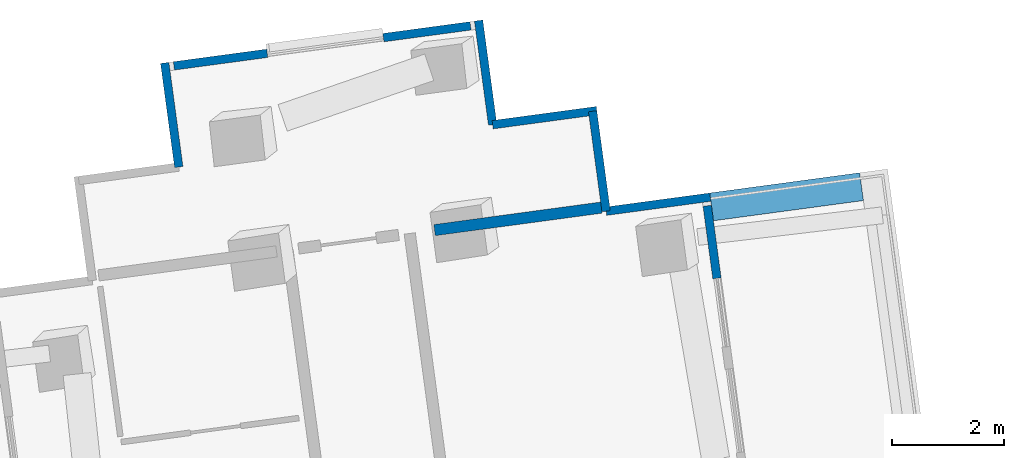
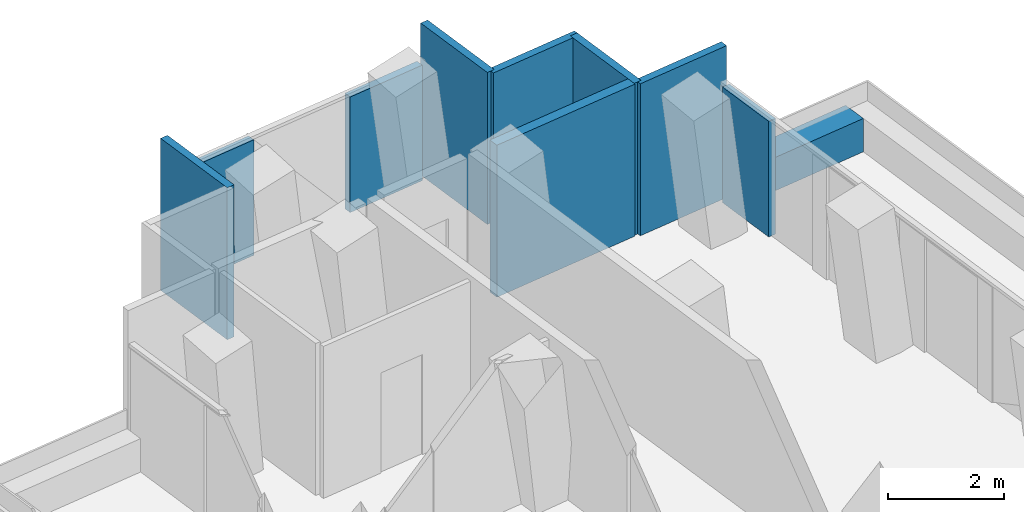
# One storey, part 24 of 27: 10 walls.
"""IFC4 building model written with IfcOpenShell, lengths in metres."""

from ifc_helpers import new_model, si_unit, direction, frame, frame_2d, origin, place, context, subcontext, project, spatial, rectangle, extrude, material, layer, layer_set, type_object, element, save


model = new_model("IFC4")

# Units and contexts
model_context = context("Model", 3, precision=1e-05, world=origin(), true_north=direction((0.0, 1.0)))
body_context = subcontext(model_context, "Body", "Model", "MODEL_VIEW")
ifc_project = project(units=[si_unit("LENGTHUNIT", "METRE"), si_unit("AREAUNIT", "SQUARE_METRE"), si_unit("VOLUMEUNIT", "CUBIC_METRE"), si_unit("PLANEANGLEUNIT", "RADIAN"), si_unit("MASSUNIT", "GRAM", prefix="KILO")], contexts=[model_context])

# Site, building, storey
site_placement = place(None, origin())
site = spatial("IfcSite", under=ifc_project, at=site_placement, CompositionType="ELEMENT")
building_placement = place(site_placement, origin())
building = spatial("IfcBuilding", under=site, at=building_placement, Name="Verdalira Terraces Hotel", CompositionType="ELEMENT")
storey_placement = place(building_placement, frame((0.0, 0.0, 64.5)))
storey = spatial("IfcBuildingStorey", under=building, at=storey_placement, Name="L14", CompositionType="ELEMENT", Elevation=64.5)

# Walls
ifc_material_1 = material(Name="Concrete C40", Category="concrete")
ifc_layer_1 = layer(ifc_material_1, 0.5)
ifc_layer_set_1 = layer_set([ifc_layer_1], Name="Balcony planter trough with tree")
wall_type_1 = type_object("IfcWallType", Name="Balcony planter trough with tree", PredefinedType="SOLIDWALL", material=ifc_layer_set_1)
wall_1_placement = place(storey_placement, frame((3.821289, 40.503418, 0.0), z_axis=(0.0, 0.0, 1.0), x_axis=(-0.991021285, -0.133704195, 0.0)))
element("IfcWall", 1, at=wall_1_placement, inside=storey, type_object=wall_type_1, Name="Balcony planter", PredefinedType="SOLIDWALL", context=body_context, shape_type="SweptSolid", body=[
    extrude(rectangle(XDim=2.69873, YDim=0.5, at=frame_2d((1.349365, 0.0))), origin(), (0.0, 0.0, 1.0), 0.699951),
])
ifc_material_2 = material(Name="Fire-rated gypsum board wall")
ifc_layer_2 = layer(ifc_material_2, 0.199951171875)
ifc_layer_set_2 = layer_set([ifc_layer_2], Name="Demising wall 200 mm")
wall_type_2 = type_object("IfcWallType", Name="Demising wall 200 mm", PredefinedType="SOLIDWALL", material=ifc_layer_set_2)
wall_2_placement = place(storey_placement, frame((-0.820312, 40.129639, 0.0), z_axis=(0.0, 0.0, 1.0), x_axis=(-0.991026518, -0.133665403, 0.0)))
element("IfcWall", 2, at=wall_2_placement, inside=storey, type_object=wall_type_2, Name="Demising wall", PredefinedType="SOLIDWALL", context=body_context, shape_type="SweptSolid", body=[
    extrude(rectangle(XDim=3.002686, YDim=0.199951, at=frame_2d((1.501465, 0.0))), origin(), (0.0, 0.0, 1.0), 3.189941),
])
ifc_material_3 = material(Name="Terracotta cladding", Category="masonry")
ifc_layer_3 = layer(ifc_material_3, 0.14990234375)
ifc_layer_set_3 = layer_set([ifc_layer_3], Name="Terracotta clad wall 150")
wall_type_3 = type_object("IfcWallType", Name="Terracotta clad wall 150", PredefinedType="SOLIDWALL", material=ifc_layer_set_3)
wall_3_placement = place(storey_placement, frame((1.122314, 40.315918, 0.0), z_axis=(0.0, 0.0, 1.0), x_axis=(-0.991035813, -0.133596471, 0.0)))
element("IfcWall", 3, at=wall_3_placement, inside=storey, type_object=wall_type_3, Name="Terracotta cladding wall", PredefinedType="SOLIDWALL", context=body_context, shape_type="SweptSolid", body=[
    extrude(rectangle(XDim=1.875, YDim=0.149902, at=frame_2d((0.9375, 0.0))), origin(), (0.0, 0.0, 1.0), 3.189941),
])
wall_4_placement = place(storey_placement, frame((-0.73584, 40.06543, 0.0), z_axis=(0.0, 0.0, 1.0), x_axis=(-0.133745079, 0.991015769, 0.0)))
element("IfcWall", 4, at=wall_4_placement, inside=storey, type_object=wall_type_3, Name="Terracotta cladding wall", PredefinedType="SOLIDWALL", context=body_context, shape_type="SweptSolid", body=[
    extrude(rectangle(XDim=1.799805, YDim=0.149902, at=frame_2d((0.899902, 0.0))), origin(), (0.0, 0.0, 1.0), 3.189941),
])
for number, where, z_axis, x_axis, name in (
    (5, (-0.9021, 41.859131, 0.0), (0.0, 0.0, 1.0), (-0.991035813, -0.133596471, 0.0), "Terracotta cladding wall"),
    (6, (-2.760254, 41.608643, 0.0), (0.0, 0.0, 1.0), (-0.133724355, 0.991018565, 0.0), "Terracotta cladding wall"),
    (7, (-8.610352, 42.71167, 0.0), (0.0, 0.0, 1.0), (0.133724355, -0.991018565, 0.0), "Terracotta cladding wall"),
):
    element("IfcWall", number, at=place(storey_placement, frame(where, z_axis=z_axis, x_axis=x_axis)), inside=storey, type_object=wall_type_3, Name=name, PredefinedType="SOLIDWALL", context=body_context, shape_type="SweptSolid", body=[
        extrude(rectangle(XDim=1.875, YDim=0.149902, at=frame_2d((0.9375, 0.0))), origin(), (0.0, 0.0, 1.0), 3.189941),
    ])
ifc_material_4 = material(Name="Terracotta cladding", Category="masonry")
ifc_layer_4 = layer(ifc_material_4, 0.14990234375)
ifc_layer_set_4 = layer_set([ifc_layer_4], Name="Terracotta column pier 150")
wall_type_4 = type_object("IfcWallType", Name="Terracotta column pier 150", PredefinedType="SOLIDWALL", material=ifc_layer_set_4)
wall_5_placement = place(storey_placement, frame((1.241943, 38.867432, 0.0), z_axis=(0.0, 0.0, 1.0), x_axis=(-0.133620274, 0.991032604, 0.0)))
element("IfcWall", 8, at=wall_5_placement, inside=storey, type_object=wall_type_4, Name="Terracotta column pier", PredefinedType="SOLIDWALL", context=body_context, shape_type="SweptSolid", body=[
    extrude(rectangle(XDim=1.306396, YDim=0.149902, at=frame_2d((0.65332, 0.0))), origin(), (0.0, 0.0, 1.0), 2.425049),
])
wall_6_placement = place(storey_placement, frame((-3.154541, 43.371826, 0.0), z_axis=(0.0, 0.0, 1.0), x_axis=(-0.991021438, -0.133703065, 0.0)))
element("IfcWall", 9, at=wall_6_placement, inside=storey, type_object=wall_type_4, Name="Terracotta column pier", PredefinedType="SOLIDWALL", context=body_context, shape_type="SweptSolid", body=[
    extrude(rectangle(XDim=1.568604, YDim=0.149902, at=frame_2d((0.78418, 0.0))), origin(), (0.0, 0.0, 1.0), 2.425049),
])
wall_7_placement = place(storey_placement, frame((-6.781738, 42.882568, 0.0), z_axis=(0.0, 0.0, 1.0), x_axis=(-0.991040325, -0.133562994, 0.0)))
element("IfcWall", 10, at=wall_7_placement, inside=storey, type_object=wall_type_4, Name="Terracotta column pier", PredefinedType="SOLIDWALL", context=body_context, shape_type="SweptSolid", body=[
    extrude(rectangle(XDim=1.679932, YDim=0.149902, at=frame_2d((0.839844, 0.0))), origin(), (0.0, 0.0, 1.0), 2.425049),
])

save(model, "model.ifc")
